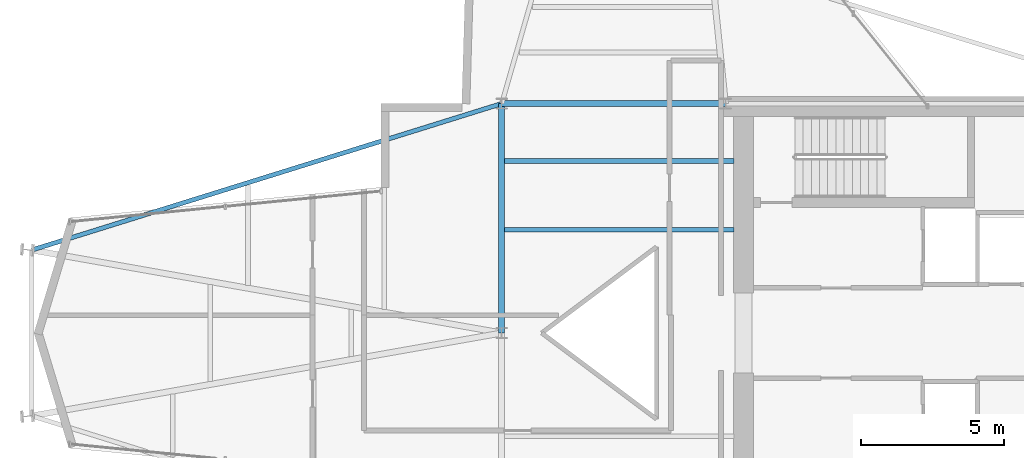
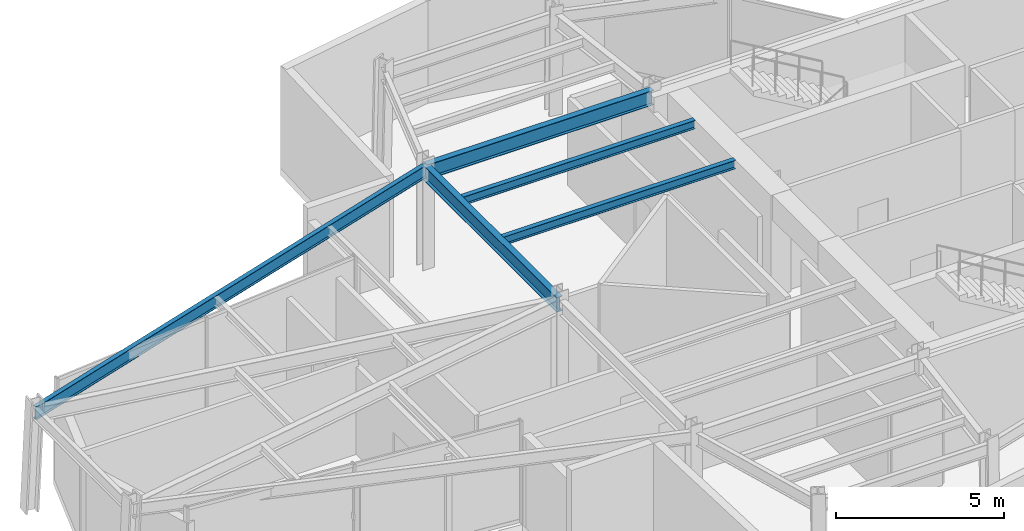
# One storey, part 10 of 23: 5 beams.
"""IFC4 building model written with IfcOpenShell, lengths in metres."""

from ifc_helpers import new_model, si_unit, direction, frame, origin, origin_2d, place, context, subcontext, project, spatial, i_section, extrude, material, material_profile, profile_set, type_object, element, save


model = new_model("IFC4")

# Units and contexts
model_context = context("Model", 3, precision=1e-05, world=origin(), true_north=direction((0.0, 1.0)))
body_context = subcontext(model_context, "Body", "Model", "MODEL_VIEW")
ifc_project = project(units=[si_unit("LENGTHUNIT", "METRE"), si_unit("AREAUNIT", "SQUARE_METRE"), si_unit("VOLUMEUNIT", "CUBIC_METRE"), si_unit("PLANEANGLEUNIT", "RADIAN"), si_unit("MASSUNIT", "GRAM", prefix="KILO")], contexts=[model_context])

# Site, building, storey
site_placement = place(None, origin())
site = spatial("IfcSite", under=ifc_project, at=site_placement, CompositionType="ELEMENT")
building_placement = place(site_placement, origin())
building = spatial("IfcBuilding", under=site, at=building_placement, Name="Veymaron Broadcast Tower", CompositionType="ELEMENT")
storey_placement = place(building_placement, frame((0.0, 0.0, 252.60009765625)))
storey = spatial("IfcBuildingStorey", under=building, at=storey_placement, Name="L59", CompositionType="ELEMENT", Elevation=252.60009765625)

# Beams
ifc_material = material(Name="Structural steel ASTM A992 Gr 50", Category="steel")
ifc_material_profile_1 = material_profile(ifc_material, i_section(OverallWidth=0.2099609375, OverallDepth=0.537109375, WebThickness=0.010986328125, FlangeThickness=0.017333984375, at=origin_2d()), Name="W530X101")
ifc_profile_set_1 = profile_set([ifc_material_profile_1], Name="Structural steel ASTM A992 Gr 50")
beam_type_1 = type_object("IfcBeamType", Name="BM-FG3", PredefinedType="BEAM", material=ifc_profile_set_1)
beam_1_placement = place(storey_placement, frame((31.199951171875, 24.0, 3.46142578125), z_axis=(0.0, 1.0, 0.0), x_axis=(-1.0, 0.0, 0.0)))
element("IfcBeam", 1, at=beam_1_placement, inside=storey, type_object=beam_type_1, Name="L59 primary structural floor girder", PredefinedType="BEAM", context=body_context, shape_type="SweptSolid", body=[
    extrude(i_section(OverallWidth=0.2099609375, OverallDepth=0.537109375, WebThickness=0.010986328125, FlangeThickness=0.017333984375, at=origin_2d()), origin(), (0.0, 0.0, 1.0), 8.0),
])
beam_2_placement = place(storey_placement, frame((31.199951171875, 32.0, 3.46142578125), z_axis=(1.0, 0.0, 0.0), x_axis=(0.0, 1.0, 0.0)))
element("IfcBeam", 2, at=beam_2_placement, inside=storey, type_object=beam_type_1, Name="L59 primary structural floor girder", PredefinedType="BEAM", context=body_context, shape_type="SweptSolid", body=[
    extrude(i_section(OverallWidth=0.2099609375, OverallDepth=0.537109375, WebThickness=0.010986328125, FlangeThickness=0.017333984375, at=origin_2d()), origin(), (0.0, 0.0, 1.0), 7.800048828125),
])
ifc_material_profile_2 = material_profile(ifc_material, i_section(OverallWidth=0.1650390625, OverallDepth=0.31005859375, WebThickness=0.005859375, FlangeThickness=0.009765625, at=origin_2d()), Name="W310X39")
ifc_profile_set_2 = profile_set([ifc_material_profile_2], Name="Structural steel ASTM A992 Gr 50")
beam_type_2 = type_object("IfcBeamType", Name="BM-JS3", PredefinedType="JOIST", material=ifc_profile_set_2)
for number, where, z_axis, x_axis, name in (
    (3, (31.300048828125, 27.60009765625, 3.574951171875), (1.0, 0.0, 0.0), (0.0, 1.0, 0.0), "L59 Hub secondary joist 3"),
    (4, (31.300048828125, 30.0, 3.574951171875), (1.0, 0.0, 0.0), (0.0, 1.0, 0.0), "L59 Hub secondary joist 4"),
):
    element("IfcBeam", number, at=place(storey_placement, frame(where, z_axis=z_axis, x_axis=x_axis)), inside=storey, type_object=beam_type_2, Name=name, PredefinedType="JOIST", context=body_context, shape_type="SweptSolid", body=[
        extrude(i_section(OverallWidth=0.1650390625, OverallDepth=0.31005859375, WebThickness=0.005859375, FlangeThickness=0.009765625, at=origin_2d()), origin(), (0.0, 0.0, 1.0), 8.0),
    ])
ifc_material_profile_3 = material_profile(ifc_material, i_section(OverallWidth=0.154052734375, OverallDepth=0.458984375, WebThickness=0.009033203125, FlangeThickness=0.015380859375, at=origin_2d()), Name="W460X68")
ifc_profile_set_3 = profile_set([ifc_material_profile_3], Name="Structural steel ASTM A992 Gr 50")
beam_type_3 = type_object("IfcBeamType", Name="BM-SP2", PredefinedType="SPANDREL", material=ifc_profile_set_3)
beam_3_placement = place(storey_placement, frame((14.810302734375, 26.89208984375, 3.50048828125), z_axis=(0.954709463703, 0.297539644277, 0.0), x_axis=(-0.297539644277, 0.954709463703, 0.0)))
element("IfcBeam", 5, at=beam_3_placement, inside=storey, type_object=beam_type_3, Name="L59 primary structural floor girder", PredefinedType="SPANDREL", context=body_context, shape_type="SweptSolid", body=[
    extrude(i_section(OverallWidth=0.154052734375, OverallDepth=0.458984375, WebThickness=0.009033203125, FlangeThickness=0.015380859375, at=origin_2d()), origin(), (0.0, 0.0, 1.0), 17.167236328125),
])

save(model, "model.ifc")
